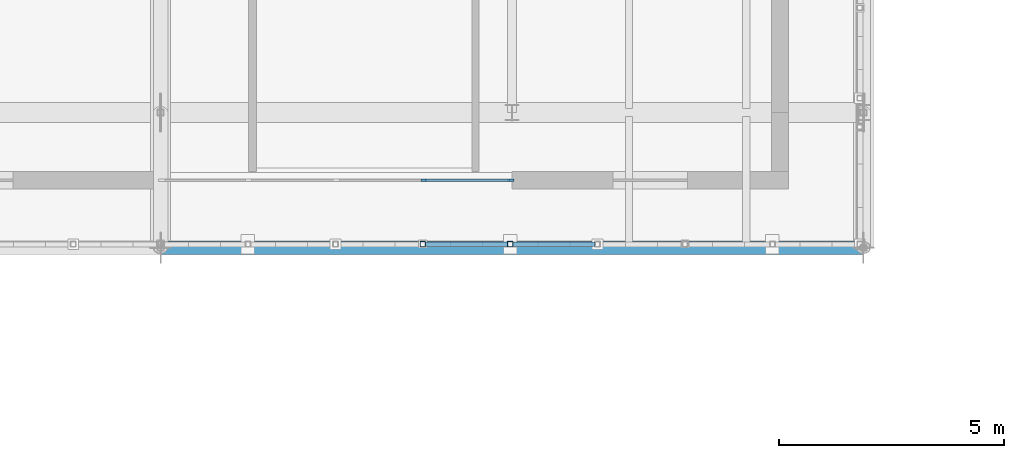
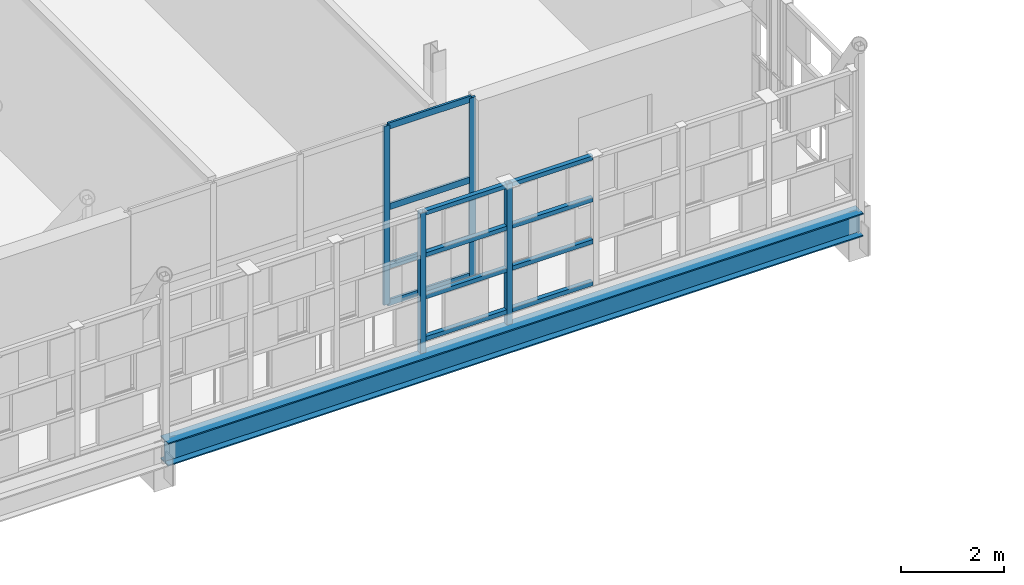
# One storey, part 36 of 119: 16 members, 1 beam, 1 element without a shape of its own.
"""IFC4 building model written with IfcOpenShell, lengths in metres."""

from ifc_helpers import new_model, si_unit, direction, frame, origin, origin_2d, place, context, subcontext, project, spatial, rectangle, hollow_rectangle, i_section, extrude, material, layer, layer_set, material_profile, profile_set, type_object, element, aggregate, save


model = new_model("IFC4")

# Units and contexts
model_context = context("Model", 3, precision=1e-05, world=origin(), true_north=direction((0.0, 1.0)))
body_context = subcontext(model_context, "Body", "Model", "MODEL_VIEW")
ifc_project = project(units=[si_unit("LENGTHUNIT", "METRE"), si_unit("AREAUNIT", "SQUARE_METRE"), si_unit("VOLUMEUNIT", "CUBIC_METRE"), si_unit("PLANEANGLEUNIT", "RADIAN"), si_unit("MASSUNIT", "GRAM", prefix="KILO")], contexts=[model_context])

# Site, building, storey
site_placement = place(None, origin())
site = spatial("IfcSite", under=ifc_project, at=site_placement, CompositionType="ELEMENT")
building_placement = place(site_placement, origin())
building = spatial("IfcBuilding", under=site, at=building_placement, Name="Celorna Specialist Clinic", CompositionType="ELEMENT")
storey_placement = place(building_placement, frame((0.0, 0.0, 9.60009765625)))
storey = spatial("IfcBuildingStorey", under=building, at=storey_placement, Name="L02", CompositionType="ELEMENT", Elevation=9.60009765625)

# Beam
ifc_material_1 = material(Name="Steel S355", Category="steel")
ifc_material_profile_1 = material_profile(ifc_material_1, i_section(OverallWidth=0.300048828125, OverallDepth=0.550048828125, WebThickness=0.014892578125, FlangeThickness=0.029052734375, at=origin_2d()), Name="HE 550 B")
ifc_profile_set_1 = profile_set([ifc_material_profile_1], Name="Steel S355")
beam_type = type_object("IfcBeamType", Name="BM-04", PredefinedType="BEAM", material=ifc_profile_set_1)
beam_placement = place(storey_placement, frame((70.199951171875, 5.699951171875, -0.53515625), z_axis=(1.0, 0.0, 0.0), x_axis=(0.0, 1.0, 0.0)))
element("IfcBeam", 1, at=beam_placement, inside=storey, type_object=beam_type, Name="Cantilever nose edge girder BM-04 #6", PredefinedType="BEAM", context=body_context, shape_type="SweptSolid", body=[
    extrude(i_section(OverallWidth=0.300048828125, OverallDepth=0.550048828125, WebThickness=0.014892578125, FlangeThickness=0.029052734375, at=origin_2d()), origin(), (0.0, 0.0, 1.0), 15.60009765625),
])

# Members
ifc_material_profile_2 = material_profile(ifc_material_1, hollow_rectangle(XDim=0.1201171875, YDim=0.1201171875, WallThickness=0.008056640625, at=origin_2d()), Name="SHS 120x120x8")
ifc_profile_set_2 = profile_set([ifc_material_profile_2], Name="Steel S355")
member_type_1 = type_object("IfcMemberType", Name="MB-11", PredefinedType="STUD", material=ifc_profile_set_2)
for number, where, z_axis, x_axis, name in (
    (2, (76.02001953125, 5.780029296875, -0.360107421875), (0.0, 0.0, 1.0), (1.0, 0.0, 0.0), "Perforated screen steel post #12"),
    (3, (77.9599609375, 5.780029296875, -0.360107421875), (0.0, 0.0, 1.0), (1.0, 0.0, 0.0), "Perforated screen steel post #13"),
):
    element("IfcMember", number, at=place(storey_placement, frame(where, z_axis=z_axis, x_axis=x_axis)), inside=storey, type_object=member_type_1, Name=name, PredefinedType="STUD", context=body_context, shape_type="SweptSolid", body=[
        extrude(hollow_rectangle(XDim=0.1201171875, YDim=0.1201171875, WallThickness=0.008056640625, at=origin_2d()), origin(), (0.0, 0.0, 1.0), 3.43994140625),
    ])
ifc_material_profile_3 = material_profile(ifc_material_1, hollow_rectangle(XDim=0.10009765625, YDim=0.10009765625, WallThickness=0.006103515625, at=origin_2d()), Name="SHS 100x100x6")
ifc_profile_set_3 = profile_set([ifc_material_profile_3], Name="Steel S355")
member_type_2 = type_object("IfcMemberType", Name="MB-12", PredefinedType="STUD", material=ifc_profile_set_3)
for number, where, z_axis, x_axis, name in (
    (4, (76.080078125, 5.780029296875, 0.0498046875), (1.0, 0.0, 0.0), (0.0, 1.0, 0.0), "Perforated screen rail #62"),
    (5, (76.080078125, 5.780029296875, 1.043212890625), (1.0, 0.0, 0.0), (0.0, 1.0, 0.0), "Perforated screen rail #63"),
    (6, (76.080078125, 5.780029296875, 2.03662109375), (1.0, 0.0, 0.0), (0.0, 1.0, 0.0), "Perforated screen rail #64"),
    (7, (76.080078125, 5.780029296875, 3.02978515625), (1.0, 0.0, 0.0), (0.0, 1.0, 0.0), "Perforated screen rail #65"),
):
    element("IfcMember", number, at=place(storey_placement, frame(where, z_axis=z_axis, x_axis=x_axis)), inside=storey, type_object=member_type_2, Name=name, PredefinedType="STUD", context=body_context, shape_type="SweptSolid", body=[
        extrude(hollow_rectangle(XDim=0.10009765625, YDim=0.10009765625, WallThickness=0.006103515625, at=origin_2d()), origin(), (0.0, 0.0, 1.0), 1.81982421875),
    ])
for number, where, z_axis, x_axis, name in (
    (8, (78.02001953125, 5.780029296875, 0.0498046875), (1.0, 0.0, 0.0), (0.0, 1.0, 0.0), "Perforated screen rail #66"),
    (9, (78.02001953125, 5.780029296875, 1.043212890625), (1.0, 0.0, 0.0), (0.0, 1.0, 0.0), "Perforated screen rail #67"),
    (10, (78.02001953125, 5.780029296875, 2.03662109375), (1.0, 0.0, 0.0), (0.0, 1.0, 0.0), "Perforated screen rail #68"),
    (11, (78.02001953125, 5.780029296875, 3.02978515625), (1.0, 0.0, 0.0), (0.0, 1.0, 0.0), "Perforated screen rail #69"),
):
    element("IfcMember", number, at=place(storey_placement, frame(where, z_axis=z_axis, x_axis=x_axis)), inside=storey, type_object=member_type_2, Name=name, PredefinedType="STUD", context=body_context, shape_type="SweptSolid", body=[
        extrude(hollow_rectangle(XDim=0.10009765625, YDim=0.10009765625, WallThickness=0.006103515625, at=origin_2d()), origin(), (0.0, 0.0, 1.0), 1.820068359375),
    ])

# Curtain wall, members
ifc_material_2 = material(Name="Thermally broken aluminium and solar-control glass curtain wall", Category="aluminium")
ifc_layer = layer(ifc_material_2, 0.159912109375, Name="Thermally broken aluminium and solar-control glass curtain wall")
ifc_layer_set = layer_set([ifc_layer], Name="Thermally broken aluminium and solar-control glass curtain wall")
curtain_wall_type = type_object("IfcCurtainWallType", Name="CW-32", PredefinedType="NOTDEFINED", material=ifc_layer_set)
curtain_wall_placement = place(storey_placement, origin())
curtain_wall = element("IfcCurtainWall", 12, at=curtain_wall_placement, inside=storey, type_object=curtain_wall_type, Name="Curtain wall CW-32 #196", PredefinedType="NOTDEFINED")
ifc_material_3 = material(Name="Anodized aluminium mullion", Category="aluminium")
ifc_material_profile_4 = material_profile(ifc_material_3, rectangle(XDim=0.050048828125, YDim=0.139892578125, at=origin_2d()), Name="ALU MULLION 50x140")
ifc_profile_set_4 = profile_set([ifc_material_profile_4], Name="Anodized aluminium mullion")
member_type_3 = type_object("IfcMemberType", Name="ML-03", PredefinedType="MULLION", material=ifc_profile_set_4)
member_1_placement = place(storey_placement, frame((77.970947265625, 7.199951171875, 0.0), z_axis=(0.0, 0.0, 1.0), x_axis=(0.0, -1.0, 0.0)))
member_1 = element("IfcMember", 13, at=member_1_placement, type_object=member_type_3, Name="CW-32 mullion 1", PredefinedType="MULLION", context=body_context, shape_type="SweptSolid", body=[
    extrude(rectangle(XDim=0.050048828125, YDim=0.139892578125, at=origin_2d()), origin(), (0.0, 0.0, 1.0), 4.239990234375),
])
member_2_placement = place(storey_placement, frame((76.048095703125, 7.199951171875, 0.0), z_axis=(0.0, 0.0, 1.0), x_axis=(0.0, -1.0, 0.0)))
member_2 = element("IfcMember", 14, at=member_2_placement, type_object=member_type_3, Name="CW-32 mullion 2", PredefinedType="MULLION", context=body_context, shape_type="SweptSolid", body=[
    extrude(rectangle(XDim=0.050048828125, YDim=0.139892578125, at=origin_2d()), origin(), (0.0, 0.0, 1.0), 4.239990234375),
])
ifc_material_4 = material(Name="Anodized aluminium transom", Category="aluminium")
ifc_material_profile_5 = material_profile(ifc_material_4, rectangle(XDim=0.050048828125, YDim=0.14990234375, at=origin_2d()), Name="ALU TRANSOM 50x150")
ifc_profile_set_5 = profile_set([ifc_material_profile_5], Name="Anodized aluminium transom")
member_type_4 = type_object("IfcMemberType", Name="TR-02", PredefinedType="USERDEFINED", material=ifc_profile_set_5)
member_3_placement = place(storey_placement, frame((77.946044921875, 7.199951171875, 0.02490234375), z_axis=(-1.0, 0.0, 0.0), x_axis=(0.0, -1.0, 0.0)))
member_3 = element("IfcMember", 15, at=member_3_placement, type_object=member_type_4, Name="CW-32 transom 1.1", ObjectType="TRANSOM", PredefinedType="USERDEFINED", context=body_context, shape_type="SweptSolid", body=[
    extrude(rectangle(XDim=0.050048828125, YDim=0.14990234375, at=origin_2d()), origin(), (0.0, 0.0, 1.0), 1.873046875),
])
member_4_placement = place(storey_placement, frame((77.946044921875, 7.199951171875, 0.89990234375), z_axis=(-1.0, 0.0, 0.0), x_axis=(0.0, -1.0, 0.0)))
member_4 = element("IfcMember", 16, at=member_4_placement, type_object=member_type_4, Name="CW-32 transom 1.2", ObjectType="TRANSOM", PredefinedType="USERDEFINED", context=body_context, shape_type="SweptSolid", body=[
    extrude(rectangle(XDim=0.050048828125, YDim=0.14990234375, at=origin_2d()), origin(), (0.0, 0.0, 1.0), 1.873046875),
])
member_5_placement = place(storey_placement, frame((77.946044921875, 7.199951171875, 2.2998046875), z_axis=(-1.0, 0.0, 0.0), x_axis=(0.0, -1.0, 0.0)))
member_5 = element("IfcMember", 17, at=member_5_placement, type_object=member_type_4, Name="CW-32 transom 1.3", ObjectType="TRANSOM", PredefinedType="USERDEFINED", context=body_context, shape_type="SweptSolid", body=[
    extrude(rectangle(XDim=0.050048828125, YDim=0.14990234375, at=origin_2d()), origin(), (0.0, 0.0, 1.0), 1.873046875),
])
member_6_placement = place(storey_placement, frame((77.946044921875, 7.199951171875, 4.21484375), z_axis=(-1.0, 0.0, 0.0), x_axis=(0.0, -1.0, 0.0)))
member_6 = element("IfcMember", 18, at=member_6_placement, type_object=member_type_4, Name="CW-32 transom 1.4", ObjectType="TRANSOM", PredefinedType="USERDEFINED", context=body_context, shape_type="SweptSolid", body=[
    extrude(rectangle(XDim=0.050048828125, YDim=0.14990234375, at=origin_2d()), origin(), (0.0, 0.0, 1.0), 1.873046875),
])
aggregate(curtain_wall, [member_1, member_2, member_3, member_4, member_5, member_6])

save(model, "model.ifc")
